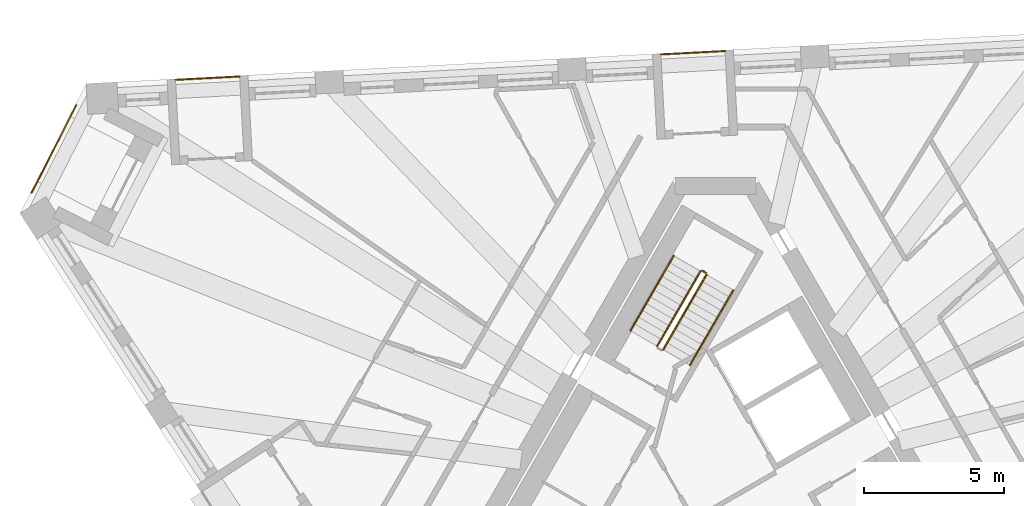
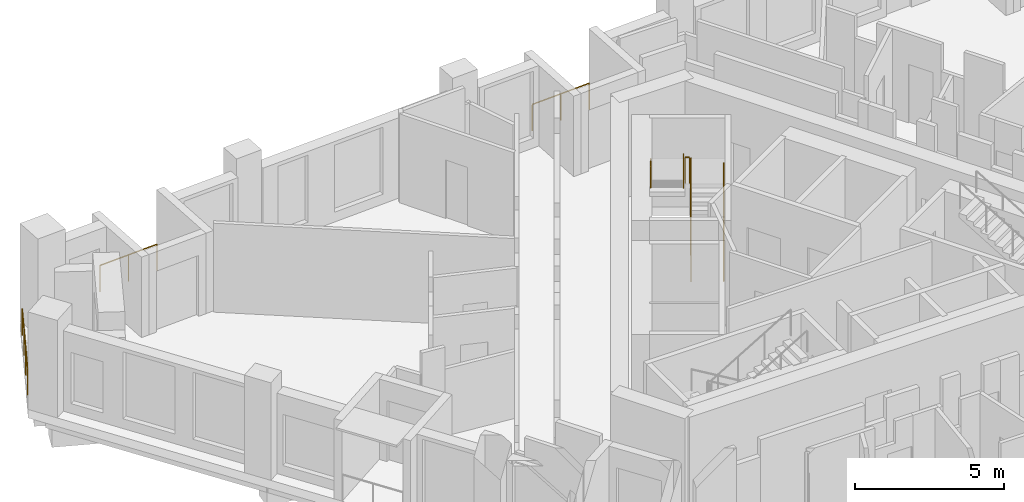
# One storey, part 12 of 13: 8 railings.
"""IFC4 building model written with IfcOpenShell, lengths in metres."""

from ifc_helpers import new_model, si_unit, direction, frame, origin, origin_2d, place, context, subcontext, project, spatial, circle, extrude, material, type_object, element, save


model = new_model("IFC4")

# Units and contexts
model_context = context("Model", 3, precision=1e-05, world=origin(), true_north=direction((0.0, 1.0)))
body_context = subcontext(model_context, "Body", "Model", "MODEL_VIEW")
ifc_project = project(units=[si_unit("LENGTHUNIT", "METRE"), si_unit("AREAUNIT", "SQUARE_METRE"), si_unit("VOLUMEUNIT", "CUBIC_METRE"), si_unit("PLANEANGLEUNIT", "RADIAN"), si_unit("MASSUNIT", "GRAM", prefix="KILO")], contexts=[model_context])

# Site, building, storey
site_placement = place(None, origin())
site = spatial("IfcSite", under=ifc_project, at=site_placement, CompositionType="ELEMENT")
building_placement = place(site_placement, origin())
building = spatial("IfcBuilding", under=site, at=building_placement, Name="Tramontana Tower", CompositionType="ELEMENT")
storey_placement = place(building_placement, frame((0.0, 0.0, 294.39990234375)))
storey = spatial("IfcBuildingStorey", under=building, at=storey_placement, Name="L69", CompositionType="ELEMENT", Elevation=294.39990234375)

# Railings
ifc_material_1 = material(Name="Laminated glass balustrade", Category="glass")
railing_type_1 = type_object("IfcRailingType", Name="GD1 Loggia glass balustrade 1100", PredefinedType="BALUSTRADE", material=ifc_material_1)
for number, where, name in (
    (1, (0.332275390625, 15.508544921875, 0.0), "Loggia balustrade L69 G7S2.7"),
    (2, (-16.964599609375, 14.60205078125, 0.0), "Loggia balustrade L69 G7S2.13"),
):
    element("IfcRailing", number, at=place(storey_placement, frame(where)), inside=storey, type_object=railing_type_1, Name=name, PredefinedType="BALUSTRADE", context=body_context, shape_type="SweptSolid", body=[
        extrude(circle(Radius=0.02392578125, at=origin_2d()), frame((0.0, 0.0, 1.076171875), z_axis=(-0.998630775221, -0.052312281362, 0.0), x_axis=(0.052312281362, -0.998630775221, 0.0)), (0.0, 0.0, 1.0), 2.286865234375),
        extrude(circle(Radius=0.02099609375, at=origin_2d()), origin(), (0.0, 0.0, 1.0), 1.052001953125),
        extrude(circle(Radius=0.02099609375, at=origin_2d()), frame((-1.141845703125, -0.059814453125, 0.0)), (0.0, 0.0, 1.0), 1.052001953125),
        extrude(circle(Radius=0.02099609375, at=origin_2d()), frame((-2.28369140625, -0.11962890625, 0.0)), (0.0, 0.0, 1.0), 1.052001953125),
    ])
railing_1_placement = place(storey_placement, frame((-24.37939453125, 10.457763671875, 0.0)))
element("IfcRailing", 3, at=railing_1_placement, inside=storey, type_object=railing_type_1, Name="Corner loggia balustrade L69 K70", PredefinedType="BALUSTRADE", context=body_context, shape_type="SweptSolid", body=[
    extrude(circle(Radius=0.02392578125, at=origin_2d()), frame((0.0, 0.0, 1.076171875), z_axis=(0.453952949021, 0.891025656238, 0.0), x_axis=(-0.891025656238, 0.453952949021, 0.0)), (0.0, 0.0, 1.0), 3.5),
    extrude(circle(Radius=0.02099609375, at=origin_2d()), origin(), (0.0, 0.0, 1.0), 1.052001953125),
    extrude(circle(Radius=0.02099609375, at=origin_2d()), frame((0.529541015625, 1.03955078125, 0.0)), (0.0, 0.0, 1.0), 1.052001953125),
    extrude(circle(Radius=0.02099609375, at=origin_2d()), frame((1.059326171875, 2.0791015625, 0.0)), (0.0, 0.0, 1.0), 1.052001953125),
    extrude(circle(Radius=0.02099609375, at=origin_2d()), frame((1.5888671875, 3.11865234375, 0.0)), (0.0, 0.0, 1.0), 1.052001953125),
])
ifc_material_2 = material(Name="Painted steel", Category="steel")
railing_type_2 = type_object("IfcRailingType", Name="STAIR GUARD 1100", PredefinedType="GUARDRAIL", material=ifc_material_2)
railing_2_placement = place(storey_placement, frame((-1.867431640625, 4.865478515625, 0.166748046875)))
element("IfcRailing", 4, at=railing_2_placement, inside=storey, type_object=railing_type_2, Name="L69 ST1 stair guard 1", PredefinedType="GUARDRAIL", context=body_context, shape_type="SweptSolid", body=[
    extrude(circle(Radius=0.02392578125, at=origin_2d()), frame((0.0, 0.0, 1.076171875), z_axis=(0.429649414936, 0.744189839504, 0.511451721109), x_axis=(-0.866029832698, 0.499992328818, 0.0)), (0.0, 0.0, 1.0), 3.58447265625),
    extrude(circle(Radius=0.02099609375, at=origin_2d()), origin(), (0.0, 0.0, 1.0), 1.052001953125),
    extrude(circle(Radius=0.02099609375, at=origin_2d()), frame((0.513427734375, 0.88916015625, 0.611083984375)), (0.0, 0.0, 1.0), 1.052001953125),
    extrude(circle(Radius=0.02099609375, at=origin_2d()), frame((1.026611328125, 1.7783203125, 1.22216796875)), (0.0, 0.0, 1.0), 1.052001953125),
    extrude(circle(Radius=0.02099609375, at=origin_2d()), frame((1.5400390625, 2.66748046875, 1.833251953125)), (0.0, 0.0, 1.0), 1.052001953125),
])
railing_3_placement = place(storey_placement, frame((-0.5439453125, 7.657958984375, 2.166748046875)))
element("IfcRailing", 5, at=railing_3_placement, inside=storey, type_object=railing_type_2, Name="L69 ST1 stair guard 2", PredefinedType="GUARDRAIL", context=body_context, shape_type="SweptSolid", body=[
    extrude(circle(Radius=0.02392578125, at=origin_2d()), frame((0.0, 0.0, 1.076171875), z_axis=(-0.429649414936, -0.744189839504, 0.511451721109), x_axis=(0.866029832698, -0.499992328818, 0.0)), (0.0, 0.0, 1.0), 3.58447265625),
    extrude(circle(Radius=0.02099609375, at=origin_2d()), origin(), (0.0, 0.0, 1.0), 1.052001953125),
    extrude(circle(Radius=0.02099609375, at=origin_2d()), frame((-0.513427734375, -0.88916015625, 0.611083984375)), (0.0, 0.0, 1.0), 1.052001953125),
    extrude(circle(Radius=0.02099609375, at=origin_2d()), frame((-1.026611328125, -1.7783203125, 1.22216796875)), (0.0, 0.0, 1.0), 1.052001953125),
    extrude(circle(Radius=0.02099609375, at=origin_2d()), frame((-1.5400390625, -2.66748046875, 1.833251953125)), (0.0, 0.0, 1.0), 1.052001953125),
])
railing_4_placement = place(storey_placement, frame((-0.345703125, 7.601318359375, 2.0)))
element("IfcRailing", 6, at=railing_4_placement, inside=storey, type_object=railing_type_2, Name="L69 ST1 stair guard 3", PredefinedType="GUARDRAIL", context=body_context, shape_type="SweptSolid", body=[
    extrude(circle(Radius=0.02392578125, at=origin_2d()), frame((0.0, 0.0, 1.076171875), z_axis=(-0.866131372301, 0.499816412211, 0.0), x_axis=(-0.499816412211, -0.866131372301, 0.0)), (0.0, 0.0, 1.0), 0.14990234375),
    extrude(circle(Radius=0.02099609375, at=origin_2d()), origin(), (0.0, 0.0, 1.0), 1.052001953125),
    extrude(circle(Radius=0.02099609375, at=origin_2d()), frame((-0.1298828125, 0.074951171875, 0.0)), (0.0, 0.0, 1.0), 1.052001953125),
])
ifc_material_3 = material(Name="Painted steel", Category="steel")
railing_type_3 = type_object("IfcRailingType", Name="STAIR HANDRAIL 900", PredefinedType="HANDRAIL", material=ifc_material_3)
railing_5_placement = place(storey_placement, frame((-0.914794921875, 4.315673828125, 0.166748046875)))
element("IfcRailing", 7, at=railing_5_placement, inside=storey, type_object=railing_type_3, Name="L69 ST1 stair handrail 1", PredefinedType="HANDRAIL", context=body_context, shape_type="SweptSolid", body=[
    extrude(circle(Radius=0.02392578125, at=origin_2d()), frame((0.0, 0.0, 0.8759765625), z_axis=(0.429671193721, 0.744159446956, 0.511477646425), x_axis=(-0.866010015463, 0.500026652407, 0.0)), (0.0, 0.0, 1.0), 3.584228515625),
    extrude(circle(Radius=0.02099609375, at=origin_2d()), origin(), (0.0, 0.0, 1.0), 0.851806640625),
    extrude(circle(Radius=0.02099609375, at=origin_2d()), frame((0.513427734375, 0.88916015625, 0.611083984375)), (0.0, 0.0, 1.0), 0.851806640625),
    extrude(circle(Radius=0.02099609375, at=origin_2d()), frame((1.026611328125, 1.778076171875, 1.22216796875)), (0.0, 0.0, 1.0), 0.851806640625),
    extrude(circle(Radius=0.02099609375, at=origin_2d()), frame((1.5400390625, 2.667236328125, 1.833251953125)), (0.0, 0.0, 1.0), 0.851806640625),
])
railing_6_placement = place(storey_placement, frame((-1.49658203125, 8.2080078125, 2.166748046875)))
element("IfcRailing", 8, at=railing_6_placement, inside=storey, type_object=railing_type_3, Name="L69 ST1 stair handrail 2", PredefinedType="HANDRAIL", context=body_context, shape_type="SweptSolid", body=[
    extrude(circle(Radius=0.02392578125, at=origin_2d()), frame((0.0, 0.0, 0.8759765625), z_axis=(-0.429649414936, -0.744189839504, 0.511451721109), x_axis=(0.866029832698, -0.499992328818, 0.0)), (0.0, 0.0, 1.0), 3.58447265625),
    extrude(circle(Radius=0.02099609375, at=origin_2d()), origin(), (0.0, 0.0, 1.0), 0.851806640625),
    extrude(circle(Radius=0.02099609375, at=origin_2d()), frame((-0.513427734375, -0.88916015625, 0.611083984375)), (0.0, 0.0, 1.0), 0.851806640625),
    extrude(circle(Radius=0.02099609375, at=origin_2d()), frame((-1.026611328125, -1.7783203125, 1.22216796875)), (0.0, 0.0, 1.0), 0.851806640625),
    extrude(circle(Radius=0.02099609375, at=origin_2d()), frame((-1.5400390625, -2.66748046875, 1.833251953125)), (0.0, 0.0, 1.0), 0.851806640625),
])

save(model, "model.ifc")
